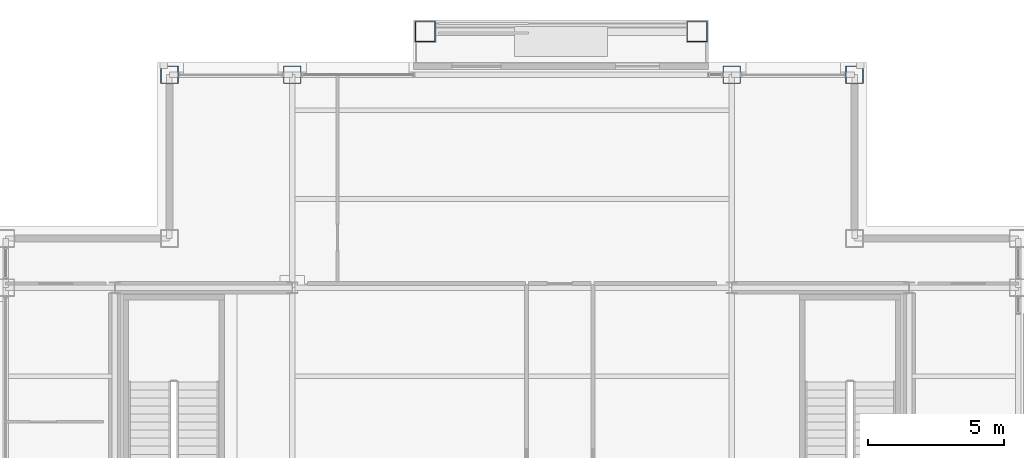
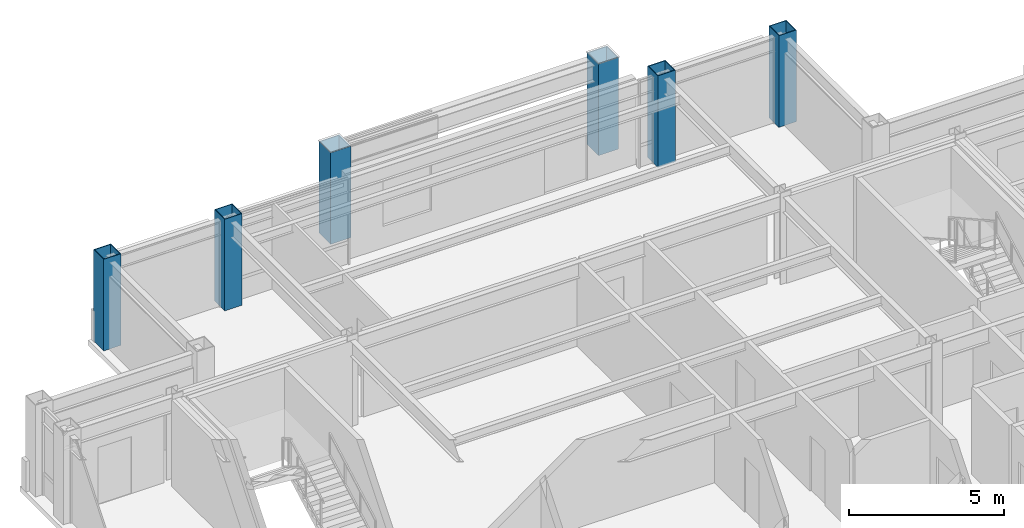
# One storey, part 2 of 24: 6 columns.
"""IFC4 building model written with IfcOpenShell, lengths in metres."""

from ifc_helpers import new_model, si_unit, direction, frame, origin, origin_2d, place, context, subcontext, project, spatial, hollow_rectangle, extrude, material, material_profile, profile_set, type_object, element, save


model = new_model("IFC4")

# Units and contexts
model_context = context("Model", 3, precision=1e-05, world=origin(), true_north=direction((0.0, 1.0)))
body_context = subcontext(model_context, "Body", "Model", "MODEL_VIEW")
ifc_project = project(units=[si_unit("LENGTHUNIT", "METRE"), si_unit("AREAUNIT", "SQUARE_METRE"), si_unit("VOLUMEUNIT", "CUBIC_METRE"), si_unit("PLANEANGLEUNIT", "RADIAN"), si_unit("MASSUNIT", "GRAM", prefix="KILO")], contexts=[model_context])

# Site, building, storey
site_placement = place(None, origin())
site = spatial("IfcSite", under=ifc_project, at=site_placement, CompositionType="ELEMENT")
building_placement = place(site_placement, origin())
building = spatial("IfcBuilding", under=site, at=building_placement, Name="Brelmoor Portico Tower", CompositionType="ELEMENT")
storey_placement = place(building_placement, frame((0.0, 0.0, 240.0)))
storey = spatial("IfcBuildingStorey", under=building, at=storey_placement, Name="L63", CompositionType="ELEMENT", Elevation=240.0)

# Columns
ifc_material = material(Name="Steel Q355B", Category="steel")
ifc_material_profile_1 = material_profile(ifc_material, hollow_rectangle(XDim=0.64990234375, YDim=0.64990234375, WallThickness=0.028076171875, at=origin_2d()), Name="BOX 650x650x28")
ifc_profile_set_1 = profile_set([ifc_material_profile_1], Name="Steel Q355B")
column_type_1 = type_object("IfcColumnType", Name="COL-MEGA-650", PredefinedType="COLUMN", material=ifc_profile_set_1)
for number, where, z_axis, x_axis, name in (
    (1, (-12.550048828125, 17.550048828125, 0.0), (0.0, 0.0, 1.0), (1.0, 0.0, 0.0), "L63 Perimeter Mega-Column PN01"),
    (2, (-8.050048828125, 17.550048828125, 0.0), (0.0, 0.0, 1.0), (1.0, 0.0, 0.0), "L63 Perimeter Mega-Column PN02"),
    (3, (8.050048828125, 17.550048828125, 0.0), (0.0, 0.0, 1.0), (1.0, 0.0, 0.0), "L63 Perimeter Mega-Column PN03"),
    (4, (12.550048828125, 17.550048828125, 0.0), (0.0, 0.0, 1.0), (1.0, 0.0, 0.0), "L63 Perimeter Mega-Column PN04"),
):
    element("IfcColumn", number, at=place(storey_placement, frame(where, z_axis=z_axis, x_axis=x_axis)), inside=storey, type_object=column_type_1, Name=name, PredefinedType="COLUMN", context=body_context, shape_type="SweptSolid", body=[
        extrude(hollow_rectangle(XDim=0.64990234375, YDim=0.64990234375, WallThickness=0.028076171875, at=origin_2d()), origin(), (0.0, 0.0, 1.0), 3.60009765625),
    ])
ifc_material_profile_2 = material_profile(ifc_material, hollow_rectangle(XDim=0.75, YDim=0.75, WallThickness=0.031982421875, at=origin_2d()), Name="BOX 750x750x32")
ifc_profile_set_2 = profile_set([ifc_material_profile_2], Name="Steel Q355B")
column_type_2 = type_object("IfcColumnType", Name="COL-MEGA-750", PredefinedType="COLUMN", material=ifc_profile_set_2)
for number, where, z_axis, x_axis, name in (
    (5, (-3.179931640625, 19.1298828125, 0.0), (0.0, 0.0, 1.0), (1.0, 0.0, 0.0), "L63 Proud Picture-Frame Pier PFJ-N1"),
    (6, (6.780029296875, 19.1298828125, 0.0), (0.0, 0.0, 1.0), (1.0, 0.0, 0.0), "L63 Proud Picture-Frame Pier PFJ-N2"),
):
    element("IfcColumn", number, at=place(storey_placement, frame(where, z_axis=z_axis, x_axis=x_axis)), inside=storey, type_object=column_type_2, Name=name, PredefinedType="COLUMN", context=body_context, shape_type="SweptSolid", body=[
        extrude(hollow_rectangle(XDim=0.75, YDim=0.75, WallThickness=0.031982421875, at=origin_2d()), origin(), (0.0, 0.0, 1.0), 3.60009765625),
    ])

save(model, "model.ifc")
